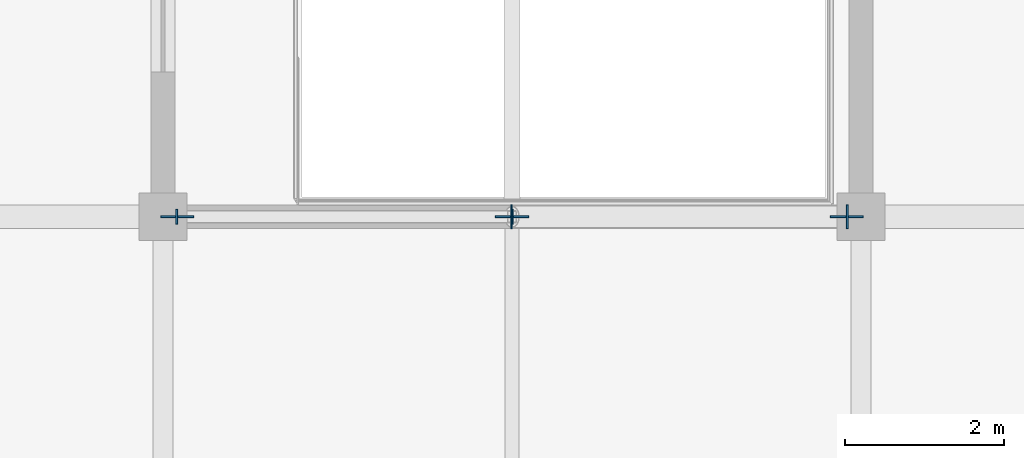
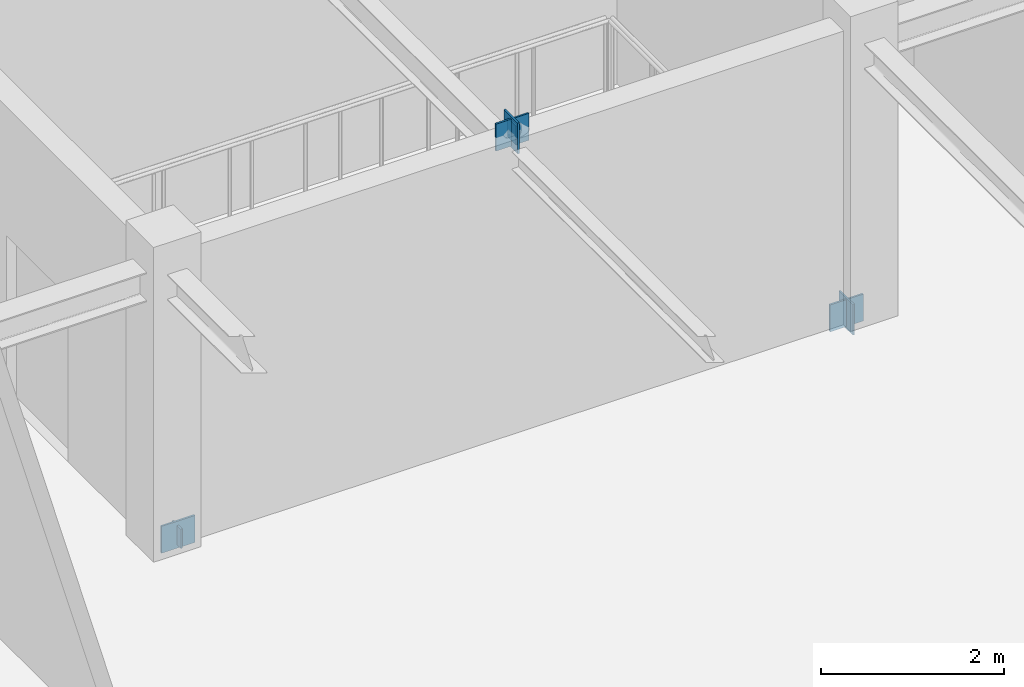
# One storey, part 38 of 64: 7 plates.
"""IFC4 building model written with IfcOpenShell, lengths in metres."""

from ifc_helpers import new_model, si_unit, direction, frame, origin, origin_2d, place, context, subcontext, project, spatial, rectangle, extrude, material, layer, layer_set, type_object, element, save


model = new_model("IFC4")

# Units and contexts
model_context = context("Model", 3, precision=1e-05, world=origin(), true_north=direction((0.0, 1.0)))
body_context = subcontext(model_context, "Body", "Model", "MODEL_VIEW")
ifc_project = project(units=[si_unit("LENGTHUNIT", "METRE"), si_unit("AREAUNIT", "SQUARE_METRE"), si_unit("VOLUMEUNIT", "CUBIC_METRE"), si_unit("PLANEANGLEUNIT", "RADIAN"), si_unit("MASSUNIT", "GRAM", prefix="KILO")], contexts=[model_context])

# Site, building, storey
site_placement = place(None, origin())
site = spatial("IfcSite", under=ifc_project, at=site_placement, CompositionType="ELEMENT")
building_placement = place(site_placement, origin())
building = spatial("IfcBuilding", under=site, at=building_placement, Name="Zhaolan Boulevard Law Courts", CompositionType="ELEMENT")
storey_placement = place(building_placement, frame((0.0, 0.0, 20.39990234375)))
storey = spatial("IfcBuildingStorey", under=building, at=storey_placement, Name="L04", CompositionType="ELEMENT", Elevation=20.39990234375)

# Plates
ifc_material_1 = material(Name="Structural steel Q355B", Category="steel")
ifc_layer_1 = layer(ifc_material_1, 0.02392578125)
ifc_layer_set_1 = layer_set([ifc_layer_1])
plate_type_1 = type_object("IfcPlateType", Name="BRACE GUSSET PLATE 24", PredefinedType="SHEET", material=ifc_layer_set_1)
for number, where, z_axis, x_axis, name in (
    (1, (17.780029296875, 86.0, -0.14990234375), (0.0, 0.0, 1.0), (1.0, 0.0, 0.0), "Brace Gusset Connection Plate GP-L1-L04-SA1"),
    (2, (26.219970703125, 86.0, -0.14990234375), (0.0, 0.0, 1.0), (1.0, 0.0, 0.0), "Brace Gusset Connection Plate GP-L1-L04-SA2"),
    (3, (22.0, 86.0, 3.740234375), (0.0, 0.0, 1.0), (1.0, 0.0, 0.0), "Brace Gusset Connection Plate GP-L1-L04-SAPX"),
):
    element("IfcPlate", number, at=place(storey_placement, frame(where, z_axis=z_axis, x_axis=x_axis)), inside=storey, type_object=plate_type_1, Name=name, PredefinedType="SHEET", context=body_context, shape_type="SweptSolid", body=[
        extrude(rectangle(XDim=0.419921875, YDim=0.02392578125, at=origin_2d()), origin(), (0.0, 0.0, 1.0), 0.360107421875),
    ])
ifc_material_2 = material(Name="Structural steel Q355B", Category="steel")
ifc_layer_2 = layer(ifc_material_2, 0.02001953125)
ifc_layer_set_2 = layer_set([ifc_layer_2])
plate_type_2 = type_object("IfcPlateType", Name="END CAP PLATE 20", PredefinedType="SHEET", material=ifc_layer_set_2)
for number, where, z_axis, x_axis, name in (
    (4, (17.774169921875, 86.0, -0.1044921875), (0.0, 0.0, 1.0), (1.0, 0.0, 0.0), "Hollow Section End-Cap Plate ECP-1379"),
    (5, (22.005859375, 86.0, 3.79638671875), (0.0, 0.0, 1.0), (1.0, 0.0, 0.0), "Hollow Section End-Cap Plate ECP-1380"),
):
    element("IfcPlate", number, at=place(storey_placement, frame(where, z_axis=z_axis, x_axis=x_axis)), inside=storey, type_object=plate_type_2, Name=name, PredefinedType="SHEET", context=body_context, shape_type="SweptSolid", body=[
        extrude(rectangle(XDim=0.02001953125, YDim=0.18994140625, at=origin_2d()), origin(), (0.0, 0.0, 1.0), 0.258056640625),
    ])
for number, where, z_axis, x_axis, name in (
    (6, (26.225830078125, 86.0, -0.181396484375), (0.0, 0.0, 1.0), (-1.0, 0.0, 0.0), "Hollow Section End-Cap Plate ECP-1381"),
    (7, (21.994140625, 86.0, 3.719482421875), (0.0, 0.0, 1.0), (-1.0, 0.0, 0.0), "Hollow Section End-Cap Plate ECP-1382"),
):
    element("IfcPlate", number, at=place(storey_placement, frame(where, z_axis=z_axis, x_axis=x_axis)), inside=storey, type_object=plate_type_2, Name=name, PredefinedType="SHEET", context=body_context, shape_type="SweptSolid", body=[
        extrude(rectangle(XDim=0.02001953125, YDim=0.302978515625, at=origin_2d()), origin(), (0.0, 0.0, 1.0), 0.412109375),
    ])

save(model, "model.ifc")
